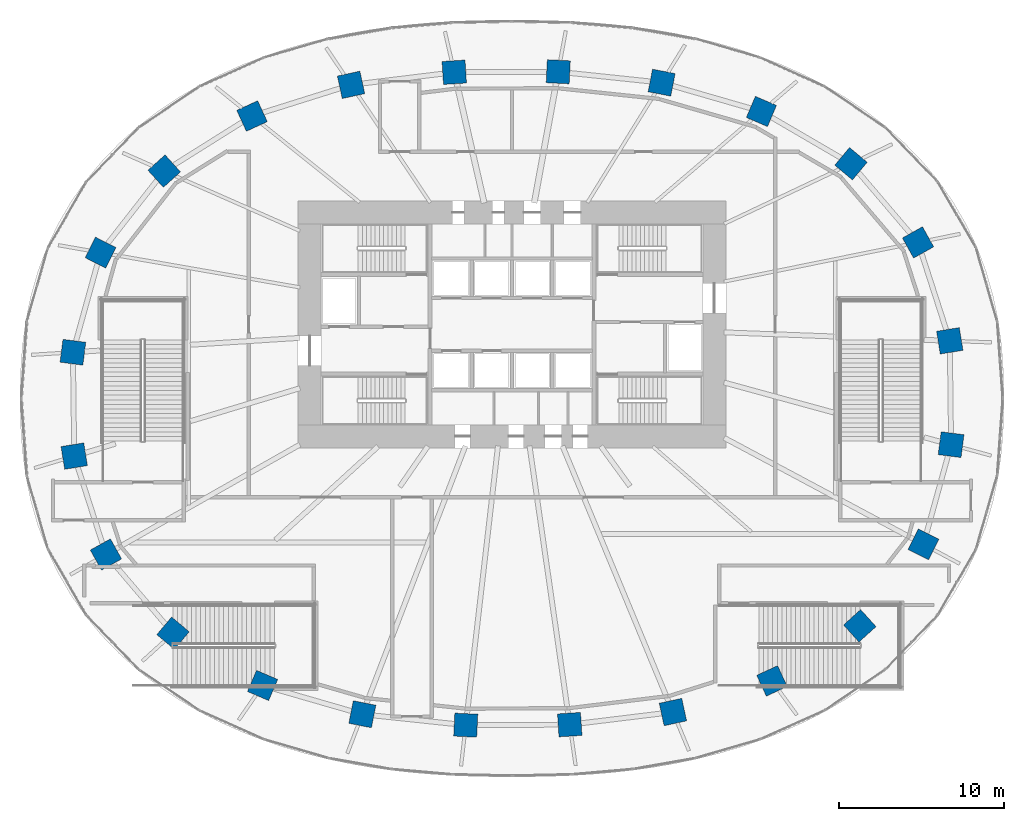
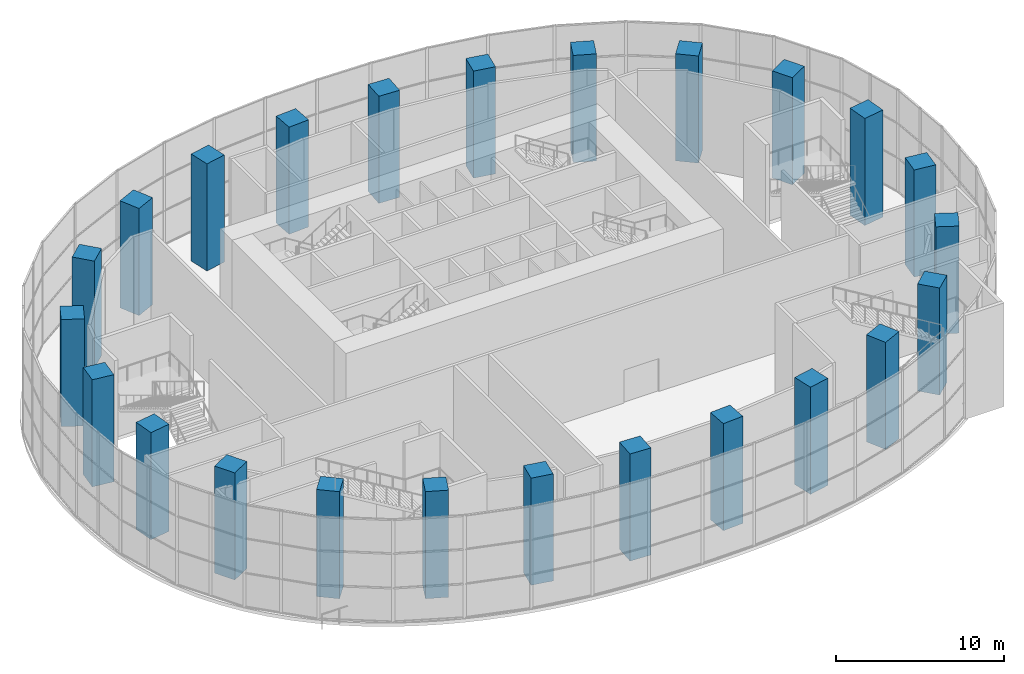
# One storey, part 1 of 22: 24 columns.
"""IFC4 building model written with IfcOpenShell, lengths in metres."""

from ifc_helpers import new_model, si_unit, direction, frame, origin, origin_2d, place, context, subcontext, project, spatial, rectangle, extrude, material, material_profile, profile_set, type_object, element, save


model = new_model("IFC4")

# Units and contexts
model_context = context("Model", 3, precision=1e-05, world=origin(), true_north=direction((0.0, 1.0)))
body_context = subcontext(model_context, "Body", "Model", "MODEL_VIEW")
ifc_project = project(units=[si_unit("LENGTHUNIT", "METRE"), si_unit("AREAUNIT", "SQUARE_METRE"), si_unit("VOLUMEUNIT", "CUBIC_METRE"), si_unit("PLANEANGLEUNIT", "RADIAN"), si_unit("MASSUNIT", "GRAM", prefix="KILO")], contexts=[model_context])

# Site, building, storey
site_placement = place(None, origin())
site = spatial("IfcSite", under=ifc_project, at=site_placement, CompositionType="ELEMENT")
building_placement = place(site_placement, origin())
building = spatial("IfcBuilding", under=site, at=building_placement, Name="Rubra Terraces Tower", CompositionType="ELEMENT")
storey_placement = place(building_placement, frame((0.0, 0.0, 7.199951171875)))
storey = spatial("IfcBuildingStorey", under=building, at=storey_placement, Name="L01", CompositionType="ELEMENT", Elevation=7.199951171875)

# Columns
ifc_material = material(Name="Concrete C60", Category="concrete")
ifc_material_profile = material_profile(ifc_material, rectangle(XDim=1.39990234375, YDim=1.39990234375, at=origin_2d()), Name="RC 1400x1400")
ifc_profile_set = profile_set([ifc_material_profile], Name="Concrete C60")
column_type = type_object("IfcColumnType", Name="RING COLUMN RC 1400x1400 C60", PredefinedType="COLUMN", material=ifc_profile_set)
for number, where, z_axis, x_axis, name in (
    (1, (26.60498046875, 3.5029296875, 0.0), (0.0, 0.0, 1.0), (-0.161234051287, 0.986916197408, 0.0), "column-L01-ring-01"),
    (2, (24.676025390625, 9.48291015625, 0.0), (0.0, 0.0, 1.0), (-0.487226597714, 0.873275582208, 0.0), "column-L01-ring-02"),
    (3, (20.60009765625, 14.26611328125, 0.0), (0.0, 0.0, 1.0), (-0.767209547574, 0.641396531104, 0.0), "column-L01-ring-03"),
    (4, (15.156982421875, 17.44091796875, 0.0), (0.0, 0.0, 1.0), (-0.919293738002, 0.393572132232, 0.0), "column-L01-ring-04"),
    (5, (9.093994140625, 19.19189453125, 0.0), (0.0, 0.0, 1.0), (-0.981430410798, 0.191818530806, 0.0), "column-L01-ring-05"),
    (6, (2.81103515625, 19.85400390625, 0.0), (0.0, 0.0, 1.0), (-0.99874501614, 0.050083857035, 0.0), "column-L01-ring-06"),
    (7, (-3.509033203125, 19.823974609375, 0.0), (0.0, 0.0, 1.0), (-0.9980076013, -0.063093801177, 0.0), "column-L01-ring-07"),
    (8, (-9.780029296875, 19.05810546875, 0.0), (0.0, 0.0, 1.0), (-0.977386186482, -0.211462153764, 0.0), "column-L01-ring-08"),
    (9, (-15.799072265625, 17.1650390625, 0.0), (0.0, 0.0, 1.0), (-0.907952363445, -0.419073389413, 0.0), "column-L01-ring-09"),
    (10, (-21.135009765625, 13.81689453125, 0.0), (0.0, 0.0, 1.0), (-0.742675944539, -0.66965098477, 0.0), "column-L01-ring-10"),
    (11, (-25.0029296875, 8.865966796875, 0.0), (0.0, 0.0, 1.0), (-0.450098906028, -0.892978709036, 0.0), "column-L01-ring-11"),
    (12, (-26.68408203125, 2.80810546875, 0.0), (0.0, 0.0, 1.0), (-0.128444510405, -0.991716697322, 0.0), "column-L01-ring-12"),
    (13, (-26.60498046875, -3.5029296875, 0.0), (0.0, 0.0, 1.0), (0.161234051287, -0.986916197408, 0.0), "column-L01-ring-13"),
    (14, (-24.676025390625, -9.48291015625, 0.0), (0.0, 0.0, 1.0), (0.487226597714, -0.873275582208, 0.0), "column-L01-ring-14"),
    (15, (-20.60009765625, -14.26611328125, 0.0), (0.0, 0.0, 1.0), (0.767209547574, -0.641396531104, 0.0), "column-L01-ring-15"),
    (16, (-15.156982421875, -17.44091796875, 0.0), (0.0, 0.0, 1.0), (0.919293738002, -0.393572132232, 0.0), "column-L01-ring-16"),
    (17, (-9.093994140625, -19.19189453125, 0.0), (0.0, 0.0, 1.0), (0.981430410798, -0.191818530806, 0.0), "column-L01-ring-17"),
    (18, (-2.81103515625, -19.85400390625, 0.0), (0.0, 0.0, 1.0), (0.99874501614, -0.050083857035, 0.0), "column-L01-ring-18"),
    (19, (3.509033203125, -19.823974609375, 0.0), (0.0, 0.0, 1.0), (0.9980076013, 0.063093801177, 0.0), "column-L01-ring-19"),
    (20, (9.780029296875, -19.05810546875, 0.0), (0.0, 0.0, 1.0), (0.977386186482, 0.211462153764, 0.0), "column-L01-ring-20"),
    (21, (15.799072265625, -17.1650390625, 0.0), (0.0, 0.0, 1.0), (0.907952363445, 0.419073389413, 0.0), "column-L01-ring-21"),
    (22, (21.135009765625, -13.81689453125, 0.0), (0.0, 0.0, 1.0), (0.742675944539, 0.66965098477, 0.0), "column-L01-ring-22"),
    (23, (25.0029296875, -8.865966796875, 0.0), (0.0, 0.0, 1.0), (0.450098906028, 0.892978709036, 0.0), "column-L01-ring-23"),
    (24, (26.68408203125, -2.80810546875, 0.0), (0.0, 0.0, 1.0), (0.128444510405, 0.991716697322, 0.0), "column-L01-ring-24"),
):
    element("IfcColumn", number, at=place(storey_placement, frame(where, z_axis=z_axis, x_axis=x_axis)), inside=storey, type_object=column_type, Name=name, PredefinedType="COLUMN", context=body_context, shape_type="SweptSolid", body=[
        extrude(rectangle(XDim=1.39990234375, YDim=1.39990234375, at=origin_2d()), origin(), (0.0, 0.0, 1.0), 7.800048828125),
    ])

save(model, "model.ifc")
